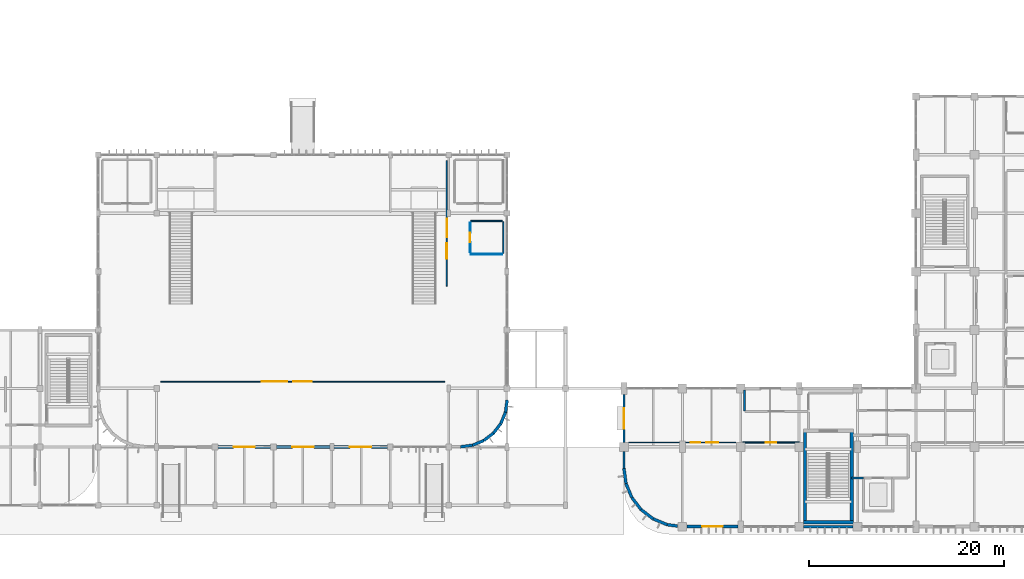
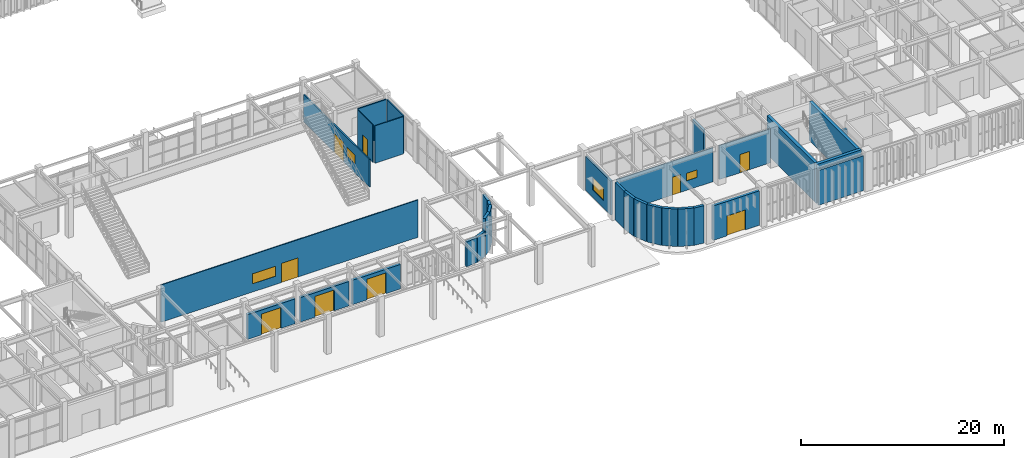
# One storey, part 43 of 76: 32 walls, 9 doors, 4 windows, 13 openings.
"""IFC4 building model written with IfcOpenShell, lengths in metres."""

from ifc_helpers import new_model, si_unit, direction, frame, frame_2d, origin, place, context, subcontext, project, spatial, rectangle, extrude, material, layer, layer_set, type_object, element, fill, save


model = new_model("IFC4")

# Units and contexts
model_context = context("Model", 3, precision=1e-05, world=origin(), true_north=direction((0.0, 1.0)))
body_context = subcontext(model_context, "Body", "Model", "MODEL_VIEW")
ifc_project = project(units=[si_unit("LENGTHUNIT", "METRE"), si_unit("AREAUNIT", "SQUARE_METRE"), si_unit("VOLUMEUNIT", "CUBIC_METRE"), si_unit("PLANEANGLEUNIT", "RADIAN"), si_unit("MASSUNIT", "GRAM", prefix="KILO")], contexts=[model_context])

# Site, building, storey
site_placement = place(None, origin())
site = spatial("IfcSite", under=ifc_project, at=site_placement, CompositionType="ELEMENT")
building_placement = place(site_placement, origin())
building = spatial("IfcBuilding", under=site, at=building_placement, Name="Varnakota Square Police Headquarters", CompositionType="ELEMENT")
storey_placement = place(building_placement, origin())
storey = spatial("IfcBuildingStorey", under=building, at=storey_placement, Name="L00", CompositionType="ELEMENT", Elevation=0.0)

# Walls
ifc_material_1 = material(Name="Concrete M50", Category="concrete")
ifc_layer_1 = layer(ifc_material_1, 0.35009765625, Name="Concrete M50")
ifc_layer_set_1 = layer_set([ifc_layer_1], Name="Concrete M50")
wall_type_1 = type_object("IfcWallType", Name="WL-CORE-350", PredefinedType="SHEAR", material=ifc_layer_set_1)
wall_1_placement = place(storey_placement, frame((126.425048828125, 1.25, 0.0), z_axis=(0.0, 0.0, 1.0), x_axis=(1.0, 0.0, 0.0)))
element("IfcWall", 1, at=wall_1_placement, inside=storey, type_object=wall_type_1, Name="Core C1 shear wall L00 S", PredefinedType="SHEAR", context=body_context, shape_type="SweptSolid", body=[
    extrude(rectangle(XDim=5.14990234375, YDim=0.35009765625, at=frame_2d((2.574951171875, 0.0))), origin(), (0.0, 0.0, 1.0), 4.659912109375),
])
for number, where, z_axis, x_axis, name in (
    (2, (131.39990234375, 1.074951171875, 0.0), (0.0, 0.0, 1.0), (0.0, 1.0, 0.0), "Core C1 shear wall L00 E"),
    (3, (126.60009765625, 10.824951171875, 0.0), (0.0, 0.0, 1.0), (0.0, -1.0, 0.0), "Core C1 shear wall L00 W"),
):
    element("IfcWall", number, at=place(storey_placement, frame(where, z_axis=z_axis, x_axis=x_axis)), inside=storey, type_object=wall_type_1, Name=name, PredefinedType="SHEAR", context=body_context, shape_type="SweptSolid", body=[
        extrude(rectangle(XDim=9.75, YDim=0.35009765625, at=frame_2d((4.875, 0.0))), origin(), (0.0, 0.0, 1.0), 4.659912109375),
    ])
ifc_material_2 = material(Name="Concrete M40", Category="concrete")
ifc_layer_2 = layer(ifc_material_2, 0.239990234375, Name="Concrete M40")
ifc_layer_set_2 = layer_set([ifc_layer_2], Name="Concrete M40")
wall_type_2 = type_object("IfcWallType", Name="WL-EXT-240", PredefinedType="SOLIDWALL", material=ifc_layer_set_2)
wall_2_placement = place(storey_placement, frame((126.4541015625, 0.800048828125, 0.0), z_axis=(0.0, 0.0, 1.0), x_axis=(1.0, 0.0, 0.0)))
element("IfcWall", 4, at=wall_2_placement, inside=storey, type_object=wall_type_2, Name="Exterior wall EW-L00-0105", PredefinedType="SOLIDWALL", context=body_context, shape_type="SweptSolid", body=[
    extrude(rectangle(XDim=5.091796875, YDim=0.239990234375, at=frame_2d((2.5458984375, 0.0))), origin(), (0.0, 0.0, 1.0), 4.18994140625),
])
wall_3_placement = place(storey_placement, frame((108.0, 6.800048828125, 0.0), z_axis=(0.0, 0.0, 1.0), x_axis=(0.0, 1.0, 0.0)))
element("IfcWall", 5, at=wall_3_placement, inside=storey, type_object=wall_type_2, Name="Exterior wall EW-L00-0118", PredefinedType="SOLIDWALL", context=body_context, shape_type="SweptSolid", body=[
    extrude(rectangle(XDim=1.745849609375, YDim=0.239990234375, at=frame_2d((0.873046875, 0.0))), origin(), (0.0, 0.0, 1.0), 4.4951171875),
])

# Wall, opening, window
wall_4_placement = place(storey_placement, frame((108.0, 9.4541015625, 0.0), z_axis=(0.0, 0.0, 1.0), x_axis=(0.0, 1.0, 0.0)))
wall_4 = element("IfcWall", 6, at=wall_4_placement, inside=storey, type_object=wall_type_2, Name="Exterior wall EW-L00-0119", PredefinedType="SOLIDWALL", context=body_context, shape_type="SweptSolid", body=[
    extrude(rectangle(XDim=4.94189453125, YDim=0.239990234375, at=frame_2d((2.470947265625, 0.0))), origin(), (0.0, 0.0, 1.0), 4.090087890625),
])
opening_1_placement = place(wall_4_placement, frame((1.4208984375, 0.0, 0.89990234375)))
opening_1 = element("IfcOpeningElement", 7, at=opening_1_placement, cuts=wall_4, Name="Opening W08", PredefinedType="OPENING", context=body_context, shape_type="SweptSolid", body=[
    extrude(rectangle(XDim=2.10009765625, YDim=1.5, at=frame_2d((1.050048828125, 0.75))), frame((0.0, 0.1298828125, 0.0), z_axis=(0.0, -1.0, 0.0), x_axis=(1.0, 0.0, 0.0)), (0.0, 0.0, 1.0), 0.260009765625),
])
ifc_material_3 = material(Name="Thermally Broken Aluminium Double-Glazed Window", Category="aluminium")
window_type_1 = type_object("IfcWindowType", Name="WIN-08", PartitioningType="SINGLE_PANEL", PredefinedType="WINDOW", material=ifc_material_3)
window_1_placement = place(opening_1_placement, origin())
window_1 = element("IfcWindow", 8, at=window_1_placement, inside=storey, type_object=window_type_1, Name="Window WN-L00-0015", OverallHeight=1.5, OverallWidth=2.10009765625, PartitioningType="SINGLE_PANEL", PredefinedType="WINDOW", context=body_context, shape_type="SweptSolid", body=[
    extrude(rectangle(XDim=2.10009765625, YDim=1.5, at=frame_2d((1.050048828125, 0.75))), frame((0.0, 0.030029296875, 0.0), z_axis=(0.0, -1.0, 0.0), x_axis=(1.0, 0.0, 0.0)), (0.0, 0.0, 1.0), 0.06005859375),
])
fill(opening_1, window_1)

# Wall, opening, door
ifc_material_4 = material(Name="Precast concrete M40", Category="concrete")
ifc_layer_3 = layer(ifc_material_4, 0.300048828125, Name="Precast concrete M40")
ifc_layer_set_3 = layer_set([ifc_layer_3], Name="Precast concrete M40")
wall_type_3 = type_object("IfcWallType", Name="WL-EXT-300", PredefinedType="SOLIDWALL", material=ifc_layer_set_3)
wall_5_placement = place(storey_placement, frame((66.303955078125, 9.0, 0.0), z_axis=(0.0, 0.0, 1.0), x_axis=(1.0, 0.0, 0.0)))
wall_5 = element("IfcWall", 9, at=wall_5_placement, inside=storey, type_object=wall_type_3, Name="Exterior wall EW-L00-0057", PredefinedType="SOLIDWALL", context=body_context, shape_type="SweptSolid", body=[
    extrude(rectangle(XDim=5.39208984375, YDim=0.300048828125, at=frame_2d((2.696044921875, 0.0))), origin(), (0.0, 0.0, 1.0), 2.989990234375),
])
opening_2_placement = place(wall_5_placement, frame((1.595947265625, 0.0, 0.0)))
opening_2 = element("IfcOpeningElement", 10, at=opening_2_placement, cuts=wall_5, Name="Opening ED02", PredefinedType="OPENING", context=body_context, shape_type="SweptSolid", body=[
    extrude(rectangle(XDim=2.199951171875, YDim=2.5, at=frame_2d((1.10009765625, 1.25))), frame((0.0, 0.159912109375, 0.0), z_axis=(0.0, -1.0, 0.0), x_axis=(1.0, 0.0, 0.0)), (0.0, 0.0, 1.0), 0.320068359375),
])
ifc_material_5 = material(Name="Anodised Aluminium Civic Entrance Door", Category="aluminium")
door_type_1 = type_object("IfcDoorType", Name="DR-EXT-ED220", OperationType="NOTDEFINED", PredefinedType="DOOR", material=ifc_material_5)
door_1_placement = place(opening_2_placement, frame((2.199951171875, 0.0, 0.0), z_axis=(0.0, 0.0, 1.0), x_axis=(-1.0, 0.0, 0.0)))
door_1 = element("IfcDoor", 11, at=door_1_placement, inside=storey, type_object=door_type_1, Name="Exterior door ED02", OperationType="DOUBLE_DOOR_SINGLE_SWING", OverallHeight=2.5, OverallWidth=2.199951171875, PredefinedType="DOOR", context=body_context, shape_type="SweptSolid", body=[
    extrude(rectangle(XDim=2.199951171875, YDim=2.5, at=frame_2d((1.10009765625, 1.25))), frame((0.0, 0.02490234375, 0.0), z_axis=(0.0, -1.0, 0.0), x_axis=(1.0, 0.0, 0.0)), (0.0, 0.0, 1.0), 0.050048828125),
])
fill(opening_2, door_1)

wall_6_placement = place(storey_placement, frame((72.303955078125, 9.0, 0.0), z_axis=(0.0, 0.0, 1.0), x_axis=(1.0, 0.0, 0.0)))
wall_6 = element("IfcWall", 12, at=wall_6_placement, inside=storey, type_object=wall_type_3, Name="Exterior wall EW-L00-0058", PredefinedType="SOLIDWALL", context=body_context, shape_type="SweptSolid", body=[
    extrude(rectangle(XDim=5.491943359375, YDim=0.300048828125, at=frame_2d((2.74609375, 0.0))), origin(), (0.0, 0.0, 1.0), 2.93994140625),
])
opening_3_placement = place(wall_6_placement, frame((1.64599609375, 0.0, 0.0)))
opening_3 = element("IfcOpeningElement", 13, at=opening_3_placement, cuts=wall_6, Name="Opening ED03", PredefinedType="OPENING", context=body_context, shape_type="SweptSolid", body=[
    extrude(rectangle(XDim=2.199951171875, YDim=2.5, at=frame_2d((1.10009765625, 1.25))), frame((0.0, 0.159912109375, 0.0), z_axis=(0.0, -1.0, 0.0), x_axis=(1.0, 0.0, 0.0)), (0.0, 0.0, 1.0), 0.320068359375),
])
door_2_placement = place(opening_3_placement, frame((2.199951171875, 0.0, 0.0), z_axis=(0.0, 0.0, 1.0), x_axis=(-1.0, 0.0, 0.0)))
door_2 = element("IfcDoor", 14, at=door_2_placement, inside=storey, type_object=door_type_1, Name="Exterior door ED03", OperationType="DOUBLE_DOOR_SINGLE_SWING", OverallHeight=2.5, OverallWidth=2.199951171875, PredefinedType="DOOR", context=body_context, shape_type="SweptSolid", body=[
    extrude(rectangle(XDim=2.199951171875, YDim=2.5, at=frame_2d((1.10009765625, 1.25))), frame((0.0, 0.02490234375, 0.0), z_axis=(0.0, -1.0, 0.0), x_axis=(1.0, 0.0, 0.0)), (0.0, 0.0, 1.0), 0.050048828125),
])
fill(opening_3, door_2)

wall_7_placement = place(storey_placement, frame((78.2041015625, 9.0, 0.0), z_axis=(0.0, 0.0, 1.0), x_axis=(1.0, 0.0, 0.0)))
wall_7 = element("IfcWall", 15, at=wall_7_placement, inside=storey, type_object=wall_type_3, Name="Exterior wall EW-L00-0059", PredefinedType="SOLIDWALL", context=body_context, shape_type="SweptSolid", body=[
    extrude(rectangle(XDim=5.491943359375, YDim=0.300048828125, at=frame_2d((2.74609375, 0.0))), origin(), (0.0, 0.0, 1.0), 2.93994140625),
])
opening_4_placement = place(wall_7_placement, frame((1.64599609375, 0.0, 0.0)))
opening_4 = element("IfcOpeningElement", 16, at=opening_4_placement, cuts=wall_7, Name="Opening ED04", PredefinedType="OPENING", context=body_context, shape_type="SweptSolid", body=[
    extrude(rectangle(XDim=2.199951171875, YDim=2.5, at=frame_2d((1.10009765625, 1.25))), frame((0.0, 0.159912109375, 0.0), z_axis=(0.0, -1.0, 0.0), x_axis=(1.0, 0.0, 0.0)), (0.0, 0.0, 1.0), 0.320068359375),
])
door_3_placement = place(opening_4_placement, frame((2.199951171875, 0.0, 0.0), z_axis=(0.0, 0.0, 1.0), x_axis=(-1.0, 0.0, 0.0)))
door_3 = element("IfcDoor", 17, at=door_3_placement, inside=storey, type_object=door_type_1, Name="Exterior door ED04", OperationType="DOUBLE_DOOR_SINGLE_SWING", OverallHeight=2.5, OverallWidth=2.199951171875, PredefinedType="DOOR", context=body_context, shape_type="SweptSolid", body=[
    extrude(rectangle(XDim=2.199951171875, YDim=2.5, at=frame_2d((1.10009765625, 1.25))), frame((0.0, 0.02490234375, 0.0), z_axis=(0.0, -1.0, 0.0), x_axis=(1.0, 0.0, 0.0)), (0.0, 0.0, 1.0), 0.050048828125),
])
fill(opening_4, door_3)

# Walls
for number, where, z_axis, x_axis, name in (
    (18, (91.199951171875, 9.0, 0.0), (0.0, 0.0, 1.0), (0.991444346045, 0.130530106475, 0.0), "Exterior wall EW-L00-0067"),
    (19, (92.4423828125, 9.16357421875, 0.0), (0.0, 0.0, 1.0), (0.92389335771, 0.382650053678, 0.0), "Exterior wall EW-L00-0068"),
):
    element("IfcWall", number, at=place(storey_placement, frame(where, z_axis=z_axis, x_axis=x_axis)), inside=storey, type_object=wall_type_3, Name=name, PredefinedType="SOLIDWALL", context=body_context, shape_type="SweptSolid", body=[
        extrude(rectangle(XDim=1.253173828125, YDim=0.300048828125, at=frame_2d((0.62646484375, 0.0))), origin(), (0.0, 0.0, 1.0), 2.989990234375),
    ])
for number, where, z_axis, x_axis, name in (
    (20, (93.60009765625, 9.64306640625, 0.0), (0.0, 0.0, 1.0), (0.793239285824, 0.60891003886, 0.0), "Exterior wall EW-L00-0069"),
    (21, (94.593994140625, 10.406005859375, 0.0), (0.0, 0.0, 1.0), (0.60891003886, 0.793239285824, 0.0), "Exterior wall EW-L00-0070"),
):
    element("IfcWall", number, at=place(storey_placement, frame(where, z_axis=z_axis, x_axis=x_axis)), inside=storey, type_object=wall_type_3, Name=name, PredefinedType="SOLIDWALL", context=body_context, shape_type="SweptSolid", body=[
        extrude(rectangle(XDim=1.2529296875, YDim=0.300048828125, at=frame_2d((0.62646484375, 0.0))), origin(), (0.0, 0.0, 1.0), 4.4951171875),
    ])
for number, where, z_axis, x_axis, name in (
    (22, (95.35693359375, 11.39990234375, 0.0), (0.0, 0.0, 1.0), (0.382650053678, 0.92389335771, 0.0), "Exterior wall EW-L00-0071"),
    (23, (95.83642578125, 12.5576171875, 0.0), (0.0, 0.0, 1.0), (0.130530106475, 0.991444346045, 0.0), "Exterior wall EW-L00-0072"),
):
    element("IfcWall", number, at=place(storey_placement, frame(where, z_axis=z_axis, x_axis=x_axis)), inside=storey, type_object=wall_type_3, Name=name, PredefinedType="SOLIDWALL", context=body_context, shape_type="SweptSolid", body=[
        extrude(rectangle(XDim=1.253173828125, YDim=0.300048828125, at=frame_2d((0.62646484375, 0.0))), origin(), (0.0, 0.0, 1.0), 4.090087890625),
    ])

# Wall, opening, door
wall_8_placement = place(storey_placement, frame((114.4541015625, 0.800048828125, 0.0), z_axis=(0.0, 0.0, 1.0), x_axis=(1.0, 0.0, 0.0)))
wall_8 = element("IfcWall", 24, at=wall_8_placement, inside=storey, type_object=wall_type_3, Name="Exterior wall EW-L00-0104", PredefinedType="SOLIDWALL", context=body_context, shape_type="SweptSolid", body=[
    extrude(rectangle(XDim=5.241943359375, YDim=0.300048828125, at=frame_2d((2.62109375, 0.0))), origin(), (0.0, 0.0, 1.0), 4.139892578125),
])
opening_5_placement = place(wall_8_placement, frame((1.571044921875, 0.0, 0.0)))
opening_5 = element("IfcOpeningElement", 25, at=opening_5_placement, cuts=wall_8, Name="Opening ED11", PredefinedType="OPENING", context=body_context, shape_type="SweptSolid", body=[
    extrude(rectangle(XDim=2.10009765625, YDim=2.39990234375, at=frame_2d((1.050048828125, 1.199951171875))), frame((0.0, 0.159912109375, 0.0), z_axis=(0.0, -1.0, 0.0), x_axis=(1.0, 0.0, 0.0)), (0.0, 0.0, 1.0), 0.320068359375),
])
ifc_material_6 = material(Name="Anodised Aluminium Glazed Exit Door", Category="aluminium")
door_type_2 = type_object("IfcDoorType", Name="DR-EXT-ED210", OperationType="NOTDEFINED", PredefinedType="DOOR", material=ifc_material_6)
door_4_placement = place(opening_5_placement, frame((2.10009765625, 0.0, 0.0), z_axis=(0.0, 0.0, 1.0), x_axis=(-1.0, 0.0, 0.0)))
door_4 = element("IfcDoor", 26, at=door_4_placement, inside=storey, type_object=door_type_2, Name="Exterior door ED11", OperationType="DOUBLE_DOOR_SINGLE_SWING", OverallHeight=2.39990234375, OverallWidth=2.10009765625, PredefinedType="DOOR", context=body_context, shape_type="SweptSolid", body=[
    extrude(rectangle(XDim=2.10009765625, YDim=2.39990234375, at=frame_2d((1.050048828125, 1.199951171875))), frame((0.0, 0.02490234375, 0.0), z_axis=(0.0, -1.0, 0.0), x_axis=(1.0, 0.0, 0.0)), (0.0, 0.0, 1.0), 0.050048828125),
])
fill(opening_5, door_4)

# Walls
wall_9_placement = place(storey_placement, frame((108.0, 6.800048828125, 0.0), z_axis=(0.0, 0.0, 1.0), x_axis=(0.130458544462, -0.991453765022, 0.0)))
element("IfcWall", 27, at=wall_9_placement, inside=storey, type_object=wall_type_3, Name="Exterior wall EW-L00-0123", PredefinedType="SOLIDWALL", context=body_context, shape_type="SweptSolid", body=[
    extrude(rectangle(XDim=1.56640625, YDim=0.300048828125, at=frame_2d((0.783203125, 0.0))), origin(), (0.0, 0.0, 1.0), 4.4951171875),
])
wall_10_placement = place(storey_placement, frame((108.204345703125, 5.2470703125, 0.0), z_axis=(0.0, 0.0, 1.0), x_axis=(0.382677606907, -0.923881945474, 0.0)))
element("IfcWall", 28, at=wall_10_placement, inside=storey, type_object=wall_type_3, Name="Exterior wall EW-L00-0124", PredefinedType="SOLIDWALL", context=body_context, shape_type="SweptSolid", body=[
    extrude(rectangle(XDim=1.566162109375, YDim=0.300048828125, at=frame_2d((0.783203125, 0.0))), origin(), (0.0, 0.0, 1.0), 4.4951171875),
])
for number, where, z_axis, x_axis, name in (
    (29, (108.8037109375, 3.800048828125, 0.0), (0.0, 0.0, 1.0), (0.608791411033, -0.793330333374, 0.0), "Exterior wall EW-L00-0125"),
    (30, (109.75732421875, 2.557373046875, 0.0), (0.0, 0.0, 1.0), (0.793330333374, -0.608791411033, 0.0), "Exterior wall EW-L00-0126"),
):
    element("IfcWall", number, at=place(storey_placement, frame(where, z_axis=z_axis, x_axis=x_axis)), inside=storey, type_object=wall_type_3, Name=name, PredefinedType="SOLIDWALL", context=body_context, shape_type="SweptSolid", body=[
        extrude(rectangle(XDim=1.56640625, YDim=0.300048828125, at=frame_2d((0.783203125, 0.0))), origin(), (0.0, 0.0, 1.0), 4.4951171875),
    ])
wall_11_placement = place(storey_placement, frame((111.0, 1.603759765625, 0.0), z_axis=(0.0, 0.0, 1.0), x_axis=(0.923881945474, -0.382677606907, 0.0)))
element("IfcWall", 31, at=wall_11_placement, inside=storey, type_object=wall_type_3, Name="Exterior wall EW-L00-0127", PredefinedType="SOLIDWALL", context=body_context, shape_type="SweptSolid", body=[
    extrude(rectangle(XDim=1.566162109375, YDim=0.300048828125, at=frame_2d((0.783203125, 0.0))), origin(), (0.0, 0.0, 1.0), 4.4951171875),
])
wall_12_placement = place(storey_placement, frame((112.447021484375, 1.00439453125, 0.0), z_axis=(0.0, 0.0, 1.0), x_axis=(0.991458223617, -0.130424655726, 0.0)))
element("IfcWall", 32, at=wall_12_placement, inside=storey, type_object=wall_type_3, Name="Exterior wall EW-L00-0128", PredefinedType="SOLIDWALL", context=body_context, shape_type="SweptSolid", body=[
    extrude(rectangle(XDim=1.0576171875, YDim=0.300048828125, at=frame_2d((0.52880859375, 0.0))), origin(), (0.0, 0.0, 1.0), 4.4951171875),
])

# Wall, opening, door
ifc_material_7 = material(Name="Lightweight Demountable Office Partition", Category="gypsum")
ifc_layer_4 = layer(ifc_material_7, 0.094970703125, Name="Lightweight Demountable Office Partition")
ifc_layer_set_4 = layer_set([ifc_layer_4], Name="Lightweight Demountable Office Partition")
wall_type_4 = type_object("IfcWallType", Name="WL-PRT-095", PredefinedType="PARTITIONING", material=ifc_layer_set_4)
wall_13_placement = place(storey_placement, frame((92.199951171875, 29.0, 0.0), z_axis=(0.0, 0.0, 1.0), x_axis=(0.0, 1.0, 0.0)))
wall_13 = element("IfcWall", 33, at=wall_13_placement, inside=storey, type_object=wall_type_4, Name="Interior partition PW-L00-0027 (L00 Public Accessible WC)", PredefinedType="PARTITIONING", context=body_context, shape_type="SweptSolid", body=[
    extrude(rectangle(XDim=3.0, YDim=0.094970703125, at=frame_2d((1.5, 0.0))), origin(), (0.0, 0.0, 1.0), 4.489990234375),
])
opening_6_placement = place(wall_13_placement, frame((1.0, 0.0, 0.0)))
opening_6 = element("IfcOpeningElement", 34, at=opening_6_placement, cuts=wall_13, Name="Opening D159", PredefinedType="OPENING", context=body_context, shape_type="SweptSolid", body=[
    extrude(rectangle(XDim=1.0, YDim=2.10009765625, at=frame_2d((0.5, 1.050048828125))), frame((0.0, 0.057373046875, 0.0), z_axis=(0.0, -1.0, 0.0), x_axis=(1.0, 0.0, 0.0)), (0.0, 0.0, 1.0), 0.114990234375),
])
ifc_material_8 = material(Name="Antimicrobial High-Pressure Compact Laminate")
door_type_3 = type_object("IfcDoorType", Name="DR-WCA-100", OperationType="NOTDEFINED", PredefinedType="DOOR", material=ifc_material_8)
door_5_placement = place(opening_6_placement, origin())
door_5 = element("IfcDoor", 35, at=door_5_placement, inside=storey, type_object=door_type_3, Name="Room door D159 (L00 Public Accessible WC)", OperationType="SINGLE_SWING_LEFT", OverallHeight=2.10009765625, OverallWidth=1.0, PredefinedType="DOOR", context=body_context, shape_type="SweptSolid", body=[
    extrude(rectangle(XDim=1.0, YDim=2.10009765625, at=frame_2d((0.5, 1.050048828125))), frame((0.0, 0.02490234375, 0.0), z_axis=(0.0, -1.0, 0.0), x_axis=(1.0, 0.0, 0.0)), (0.0, 0.0, 1.0), 0.050048828125),
])
fill(opening_6, door_5)

# Wall, openings, door, window
wall_14_placement = place(storey_placement, frame((108.5, 9.449951171875, 0.0), z_axis=(0.0, 0.0, 1.0), x_axis=(1.0, 0.0, 0.0)))
wall_14 = element("IfcWall", 36, at=wall_14_placement, inside=storey, type_object=wall_type_4, Name="Interior partition PW-L00-0035 (Operations Reception Hall)", PredefinedType="PARTITIONING", context=body_context, shape_type="SweptSolid", body=[
    extrude(rectangle(XDim=11.0, YDim=0.094970703125, at=frame_2d((5.5, 0.0))), origin(), (0.0, 0.0, 1.0), 4.090087890625),
])
opening_7_placement = place(wall_14_placement, frame((6.375, 0.0, 0.0)))
opening_7 = element("IfcOpeningElement", 37, at=opening_7_placement, cuts=wall_14, Name="Opening D167", PredefinedType="OPENING", context=body_context, shape_type="SweptSolid", body=[
    extrude(rectangle(XDim=0.949951171875, YDim=2.14990234375, at=frame_2d((0.47509765625, 1.074951171875))), frame((0.0, 0.057373046875, 0.0), z_axis=(0.0, -1.0, 0.0), x_axis=(1.0, 0.0, 0.0)), (0.0, 0.0, 1.0), 0.114990234375),
])
opening_8_placement = place(wall_14_placement, frame((7.97509765625, 0.0, 1.14990234375)))
opening_8 = element("IfcOpeningElement", 38, at=opening_8_placement, cuts=wall_14, Name="Opening IW05", PredefinedType="OPENING", context=body_context, shape_type="SweptSolid", body=[
    extrude(rectangle(XDim=1.199951171875, YDim=0.89990234375, at=frame_2d((0.60009765625, 0.449951171875))), frame((0.0, 0.057373046875, 0.0), z_axis=(0.0, -1.0, 0.0), x_axis=(1.0, 0.0, 0.0)), (0.0, 0.0, 1.0), 0.114990234375),
])
ifc_material_9 = material(Name="Solid-Core Teak Veneer Hardwood", Category="wood")
door_type_4 = type_object("IfcDoorType", Name="DR-OFF-095", OperationType="NOTDEFINED", PredefinedType="DOOR", material=ifc_material_9)
door_6_placement = place(opening_7_placement, origin())
door_6 = element("IfcDoor", 39, at=door_6_placement, inside=storey, type_object=door_type_4, Name="Room door D167 (Operations Reception Hall)", OperationType="SINGLE_SWING_RIGHT", OverallHeight=2.14990234375, OverallWidth=0.949951171875, PredefinedType="DOOR", context=body_context, shape_type="SweptSolid", body=[
    extrude(rectangle(XDim=0.949951171875, YDim=2.14990234375, at=frame_2d((0.47509765625, 1.074951171875))), frame((0.0, 0.02490234375, 0.0), z_axis=(0.0, -1.0, 0.0), x_axis=(1.0, 0.0, 0.0)), (0.0, 0.0, 1.0), 0.050048828125),
])
fill(opening_7, door_6)
ifc_material_10 = material(Name="Acoustic Laminated Interior Vision Glazing", Category="glass")
window_type_2 = type_object("IfcWindowType", Name="WIN-INT-05", PartitioningType="SINGLE_PANEL", PredefinedType="WINDOW", material=ifc_material_10)
window_2_placement = place(opening_8_placement, origin())
window_2 = element("IfcWindow", 40, at=window_2_placement, inside=storey, type_object=window_type_2, Name="Interior observation window IWN-L00-005", OverallHeight=0.89990234375, OverallWidth=1.199951171875, PartitioningType="SINGLE_PANEL", PredefinedType="WINDOW", context=body_context, shape_type="SweptSolid", body=[
    extrude(rectangle(XDim=1.199951171875, YDim=0.89990234375, at=frame_2d((0.60009765625, 0.449951171875))), frame((0.0, 0.030029296875, 0.0), z_axis=(0.0, -1.0, 0.0), x_axis=(1.0, 0.0, 0.0)), (0.0, 0.0, 1.0), 0.06005859375),
])
fill(opening_8, window_2)

# Wall
wall_15_placement = place(storey_placement, frame((95.52001953125, 28.800048828125, 0.0), z_axis=(0.0, 0.0, 1.0), x_axis=(-1.0, 0.0, 0.0)))
element("IfcWall", 41, at=wall_15_placement, inside=storey, type_object=wall_type_4, Name="Interior dividing partition PW-L00-0072 (L00 Public Accessible WC)", PredefinedType="PARTITIONING", context=body_context, shape_type="SweptSolid", body=[
    extrude(rectangle(XDim=3.239990234375, YDim=0.094970703125, at=frame_2d((1.6201171875, 0.0))), origin(), (0.0, 0.0, 1.0), 4.489990234375),
])

# Wall, openings, door, window
ifc_material_11 = material(Name="Glazed Clean-Lab Modular Partition", Category="gypsum")
ifc_layer_5 = layer(ifc_material_11, 0.10498046875, Name="Glazed Clean-Lab Modular Partition")
ifc_layer_set_5 = layer_set([ifc_layer_5], Name="Glazed Clean-Lab Modular Partition")
wall_type_5 = type_object("IfcWallType", Name="WL-PRT-105", PredefinedType="PARTITIONING", material=ifc_layer_set_5)
wall_16_placement = place(storey_placement, frame((89.60009765625, 15.699951171875, 0.0), z_axis=(0.0, 0.0, 1.0), x_axis=(-1.0, 0.0, 0.0)))
wall_16 = element("IfcWall", 42, at=wall_16_placement, inside=storey, type_object=wall_type_5, Name="Interior partition PW-L00-0028 (Public Entrance Hall)", PredefinedType="PARTITIONING", context=body_context, shape_type="SweptSolid", body=[
    extrude(rectangle(XDim=29.2001953125, YDim=0.10498046875, at=frame_2d((14.60009765625, 0.0))), origin(), (0.0, 0.0, 1.0), 4.489990234375),
])
opening_9_placement = place(wall_16_placement, frame((13.64990234375, 0.0, 0.0)))
opening_9 = element("IfcOpeningElement", 43, at=opening_9_placement, cuts=wall_16, Name="Opening D160", PredefinedType="OPENING", context=body_context, shape_type="SweptSolid", body=[
    extrude(rectangle(XDim=1.89990234375, YDim=2.300048828125, at=frame_2d((0.949951171875, 1.14990234375))), frame((0.0, 0.0625, 0.0), z_axis=(0.0, -1.0, 0.0), x_axis=(1.0, 0.0, 0.0)), (0.0, 0.0, 1.0), 0.125),
])
opening_10_placement = place(wall_16_placement, frame((16.199951171875, 0.0, 1.0)))
opening_10 = element("IfcOpeningElement", 44, at=opening_10_placement, cuts=wall_16, Name="Opening IW02", PredefinedType="OPENING", context=body_context, shape_type="SweptSolid", body=[
    extrude(rectangle(XDim=2.60009765625, YDim=1.199951171875, at=frame_2d((1.300048828125, 0.60009765625))), frame((0.0, 0.0625, 0.0), z_axis=(0.0, -1.0, 0.0), x_axis=(1.0, 0.0, 0.0)), (0.0, 0.0, 1.0), 0.125),
])
ifc_material_12 = material(Name="Solid-Core Acoustic Walnut Veneer Timber", Category="wood")
door_type_5 = type_object("IfcDoorType", Name="DR-AUD-190", OperationType="NOTDEFINED", PredefinedType="DOOR", material=ifc_material_12)
door_7_placement = place(opening_9_placement, origin())
door_7 = element("IfcDoor", 45, at=door_7_placement, inside=storey, type_object=door_type_5, Name="Room door D160 (Public Entrance Hall)", OperationType="DOUBLE_DOOR_SINGLE_SWING", OverallHeight=2.300048828125, OverallWidth=1.89990234375, PredefinedType="DOOR", context=body_context, shape_type="SweptSolid", body=[
    extrude(rectangle(XDim=1.89990234375, YDim=2.300048828125, at=frame_2d((0.949951171875, 1.14990234375))), frame((0.0, 0.02490234375, 0.0), z_axis=(0.0, -1.0, 0.0), x_axis=(1.0, 0.0, 0.0)), (0.0, 0.0, 1.0), 0.050048828125),
])
fill(opening_9, door_7)
window_type_3 = type_object("IfcWindowType", Name="WIN-INT-02", PartitioningType="SINGLE_PANEL", PredefinedType="WINDOW", material=ifc_material_10)
window_3_placement = place(opening_10_placement, origin())
window_3 = element("IfcWindow", 46, at=window_3_placement, inside=storey, type_object=window_type_3, Name="Interior observation window IWN-L00-002", OverallHeight=1.199951171875, OverallWidth=2.60009765625, PartitioningType="SINGLE_PANEL", PredefinedType="WINDOW", context=body_context, shape_type="SweptSolid", body=[
    extrude(rectangle(XDim=2.60009765625, YDim=1.199951171875, at=frame_2d((1.300048828125, 0.60009765625))), frame((0.0, 0.030029296875, 0.0), z_axis=(0.0, -1.0, 0.0), x_axis=(1.0, 0.0, 0.0)), (0.0, 0.0, 1.0), 0.06005859375),
])
fill(opening_10, window_3)

# Wall
wall_17_placement = place(storey_placement, frame((95.60009765625, 32.1201171875, 0.0), z_axis=(0.0, 0.0, 1.0), x_axis=(0.0, -1.0, 0.0)))
element("IfcWall", 47, at=wall_17_placement, inside=storey, type_object=wall_type_5, Name="Interior dividing partition PW-L00-0071 (L00 Public Accessible WC)", PredefinedType="PARTITIONING", context=body_context, shape_type="SweptSolid", body=[
    extrude(rectangle(XDim=3.240234375, YDim=0.10498046875, at=frame_2d((1.6201171875, 0.0))), origin(), (0.0, 0.0, 1.0), 4.489990234375),
])

# Wall, opening, door
ifc_material_13 = material(Name="Acoustic Insulated Metal-Stud Partition", Category="gypsum")
ifc_layer_6 = layer(ifc_material_13, 0.125, Name="Acoustic Insulated Metal-Stud Partition")
ifc_layer_set_6 = layer_set([ifc_layer_6], Name="Acoustic Insulated Metal-Stud Partition")
wall_type_6 = type_object("IfcWallType", Name="WL-PRT-125", PredefinedType="PARTITIONING", material=ifc_layer_set_6)
wall_18_placement = place(storey_placement, frame((120.199951171875, 9.449951171875, 0.0), z_axis=(0.0, 0.0, 1.0), x_axis=(1.0, 0.0, 0.0)))
wall_18 = element("IfcWall", 48, at=wall_18_placement, inside=storey, type_object=wall_type_6, Name="Interior partition PW-L00-0036 (Duty Watch Command Office)", PredefinedType="PARTITIONING", context=body_context, shape_type="SweptSolid", body=[
    extrude(rectangle(XDim=5.800048828125, YDim=0.125, at=frame_2d((2.89990234375, 0.0))), origin(), (0.0, 0.0, 1.0), 4.090087890625),
])
opening_11_placement = place(wall_18_placement, frame((2.375, 0.0, 0.0)))
opening_11 = element("IfcOpeningElement", 49, at=opening_11_placement, cuts=wall_18, Name="Opening D168", PredefinedType="OPENING", context=body_context, shape_type="SweptSolid", body=[
    extrude(rectangle(XDim=1.050048828125, YDim=2.199951171875, at=frame_2d((0.52490234375, 1.10009765625))), frame((0.0, 0.072509765625, 0.0), z_axis=(0.0, -1.0, 0.0), x_axis=(1.0, 0.0, 0.0)), (0.0, 0.0, 1.0), 0.14501953125),
])
ifc_material_14 = material(Name="Anodised Aluminium and Laminated Acoustic Glass", Category="aluminium")
door_type_6 = type_object("IfcDoorType", Name="DR-OFF-105", OperationType="NOTDEFINED", PredefinedType="DOOR", material=ifc_material_14)
door_8_placement = place(opening_11_placement, origin())
door_8 = element("IfcDoor", 50, at=door_8_placement, inside=storey, type_object=door_type_6, Name="Room door D168 (Duty Watch Command Office)", OperationType="SINGLE_SWING_LEFT", OverallHeight=2.199951171875, OverallWidth=1.050048828125, PredefinedType="DOOR", context=body_context, shape_type="SweptSolid", body=[
    extrude(rectangle(XDim=1.050048828125, YDim=2.199951171875, at=frame_2d((0.52490234375, 1.10009765625))), frame((0.0, 0.02490234375, 0.0), z_axis=(0.0, -1.0, 0.0), x_axis=(1.0, 0.0, 0.0)), (0.0, 0.0, 1.0), 0.050048828125),
])
fill(opening_11, door_8)

# Wall, openings, door, window
ifc_layer_7 = layer(ifc_material_13, 0.139892578125, Name="Acoustic Insulated Metal-Stud Partition")
ifc_layer_set_7 = layer_set([ifc_layer_7], Name="Acoustic Insulated Metal-Stud Partition")
wall_type_7 = type_object("IfcWallType", Name="WL-PRT-140", PredefinedType="PARTITIONING", material=ifc_layer_set_7)
wall_19_placement = place(storey_placement, frame((89.800048828125, 38.39990234375, 0.0), z_axis=(0.0, 0.0, 1.0), x_axis=(0.0, -1.0, 0.0)))
wall_19 = element("IfcWall", 51, at=wall_19_placement, inside=storey, type_object=wall_type_7, Name="Interior partition PW-L00-0029 (Citizen Service Hall and Public Front Counter)", PredefinedType="PARTITIONING", context=body_context, shape_type="SweptSolid", body=[
    extrude(rectangle(XDim=12.89990234375, YDim=0.139892578125, at=frame_2d((6.449951171875, 0.0))), origin(), (0.0, 0.0, 1.0), 3.31005859375),
])
opening_12_placement = place(wall_19_placement, frame((5.949951171875, 0.0, 0.0)))
opening_12 = element("IfcOpeningElement", 52, at=opening_12_placement, cuts=wall_19, Name="Opening D161", PredefinedType="OPENING", context=body_context, shape_type="SweptSolid", body=[
    extrude(rectangle(XDim=1.89990234375, YDim=2.300048828125, at=frame_2d((0.949951171875, 1.14990234375))), frame((0.0, 0.079833984375, 0.0), z_axis=(0.0, -1.0, 0.0), x_axis=(1.0, 0.0, 0.0)), (0.0, 0.0, 1.0), 0.159912109375),
])
opening_13_placement = place(wall_19_placement, frame((8.5, 0.0, 1.050048828125)))
opening_13 = element("IfcOpeningElement", 53, at=opening_13_placement, cuts=wall_19, Name="Opening IW03", PredefinedType="OPENING", context=body_context, shape_type="SweptSolid", body=[
    extrude(rectangle(XDim=1.60009765625, YDim=1.10009765625, at=frame_2d((0.800048828125, 0.550048828125))), frame((0.0, 0.079833984375, 0.0), z_axis=(0.0, -1.0, 0.0), x_axis=(1.0, 0.0, 0.0)), (0.0, 0.0, 1.0), 0.159912109375),
])
door_9_placement = place(opening_12_placement, origin())
door_9 = element("IfcDoor", 54, at=door_9_placement, inside=storey, type_object=door_type_5, Name="Room door D161 (Citizen Service Hall and Public Front Counter)", OperationType="DOUBLE_DOOR_SINGLE_SWING", OverallHeight=2.300048828125, OverallWidth=1.89990234375, PredefinedType="DOOR", context=body_context, shape_type="SweptSolid", body=[
    extrude(rectangle(XDim=1.89990234375, YDim=2.300048828125, at=frame_2d((0.949951171875, 1.14990234375))), frame((0.0, 0.02490234375, 0.0), z_axis=(0.0, -1.0, 0.0), x_axis=(1.0, 0.0, 0.0)), (0.0, 0.0, 1.0), 0.050048828125),
])
fill(opening_12, door_9)
window_type_4 = type_object("IfcWindowType", Name="WIN-INT-03", PartitioningType="SINGLE_PANEL", PredefinedType="WINDOW", material=ifc_material_10)
window_4_placement = place(opening_13_placement, origin())
window_4 = element("IfcWindow", 55, at=window_4_placement, inside=storey, type_object=window_type_4, Name="Interior observation window IWN-L00-003", OverallHeight=1.10009765625, OverallWidth=1.60009765625, PartitioningType="SINGLE_PANEL", PredefinedType="WINDOW", context=body_context, shape_type="SweptSolid", body=[
    extrude(rectangle(XDim=1.60009765625, YDim=1.10009765625, at=frame_2d((0.800048828125, 0.550048828125))), frame((0.0, 0.030029296875, 0.0), z_axis=(0.0, -1.0, 0.0), x_axis=(1.0, 0.0, 0.0)), (0.0, 0.0, 1.0), 0.06005859375),
])
fill(opening_13, window_4)

# Walls
wall_20_placement = place(storey_placement, frame((92.280029296875, 32.199951171875, 0.0), z_axis=(0.0, 0.0, 1.0), x_axis=(1.0, 0.0, 0.0)))
element("IfcWall", 56, at=wall_20_placement, inside=storey, type_object=wall_type_7, Name="Interior dividing partition PW-L00-0073 (L00 Public Accessible WC)", PredefinedType="PARTITIONING", context=body_context, shape_type="SweptSolid", body=[
    extrude(rectangle(XDim=3.239990234375, YDim=0.139892578125, at=frame_2d((1.6201171875, 0.0))), origin(), (0.0, 0.0, 1.0), 4.489990234375),
])
ifc_layer_8 = layer(ifc_material_2, 0.215087890625, Name="Concrete M40")
ifc_layer_set_8 = layer_set([ifc_layer_8], Name="Concrete M40")
wall_type_8 = type_object("IfcWallType", Name="WL-PRT-215F", PredefinedType="PARTITIONING", material=ifc_layer_set_8)
wall_21_placement = place(storey_placement, frame((120.39990234375, 12.699951171875, 0.0), z_axis=(0.0, 0.0, 1.0), x_axis=(0.0, 1.0, 0.0)))
element("IfcWall", 57, at=wall_21_placement, inside=storey, type_object=wall_type_8, Name="Protected exit passageway fire wall EXW-C1-W", PredefinedType="PARTITIONING", context=body_context, shape_type="SweptSolid", body=[
    extrude(rectangle(XDim=2.150146484375, YDim=0.215087890625, at=frame_2d((1.0751953125, 0.0))), origin(), (0.0, 0.0, 1.0), 3.93994140625),
])
ifc_layer_9 = layer(ifc_material_2, 0.25, Name="Concrete M40")
ifc_layer_set_9 = layer_set([ifc_layer_9], Name="Concrete M40")
wall_type_9 = type_object("IfcWallType", Name="WL-PRT-250F", PredefinedType="PARTITIONING", material=ifc_layer_set_9)
wall_22_placement = place(storey_placement, frame((131.39990234375, 5.800048828125, 0.0), z_axis=(0.0, 0.0, 1.0), x_axis=(1.0, 0.0, 0.0)))
element("IfcWall", 58, at=wall_22_placement, inside=storey, type_object=wall_type_9, Name="Firefighting lobby return wall C1 L00 SW", PredefinedType="PARTITIONING", context=body_context, shape_type="SweptSolid", body=[
    extrude(rectangle(XDim=1.2001953125, YDim=0.25, at=frame_2d((0.60009765625, 0.0))), origin(), (0.0, 0.0, 1.0), 4.0400390625),
])

save(model, "model.ifc")
